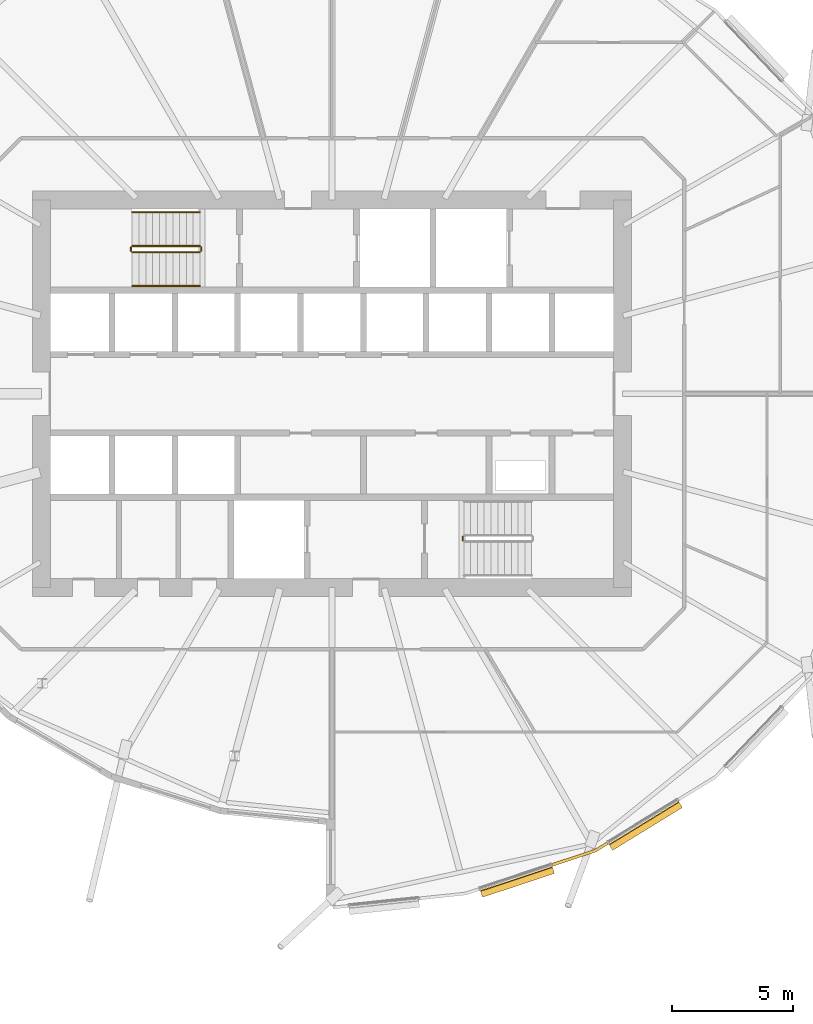
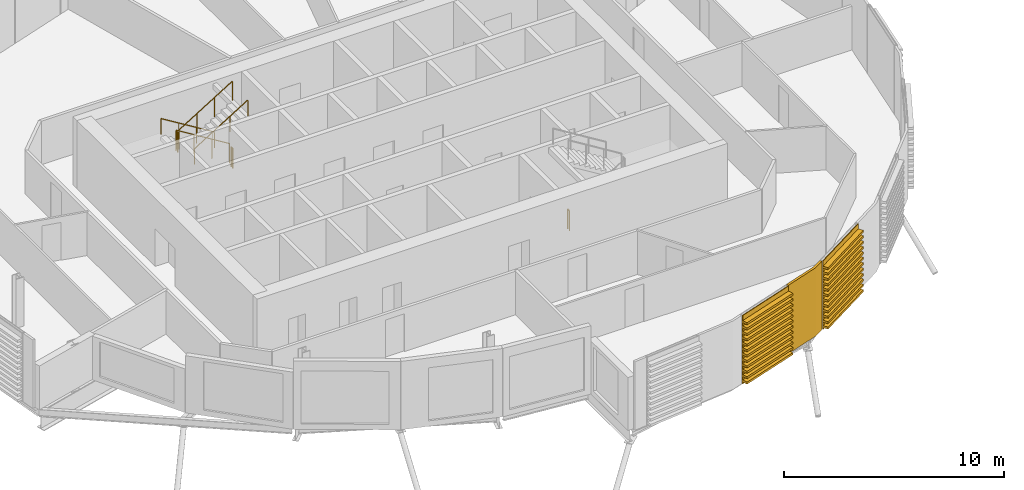
# One storey, part 37 of 42: 7 railings, 3 coverings.
"""IFC4 building model written with IfcOpenShell, lengths in metres."""

from ifc_helpers import new_model, si_unit, direction, frame, origin, origin_2d, place, context, subcontext, project, spatial, polyline, circle, outline, extrude, material, layer, layer_set, material_profile, profile_set, type_object, element, save


model = new_model("IFC4")

# Units and contexts
model_context = context("Model", 3, precision=1e-05, world=origin(), true_north=direction((0.0, 1.0)))
body_context = subcontext(model_context, "Body", "Model", "MODEL_VIEW")
ifc_project = project(units=[si_unit("LENGTHUNIT", "METRE"), si_unit("AREAUNIT", "SQUARE_METRE"), si_unit("VOLUMEUNIT", "CUBIC_METRE"), si_unit("PLANEANGLEUNIT", "RADIAN"), si_unit("MASSUNIT", "GRAM", prefix="KILO")], contexts=[model_context])

# Site, building, storey
site_placement = place(None, origin())
site = spatial("IfcSite", under=ifc_project, at=site_placement, CompositionType="ELEMENT")
building_placement = place(site_placement, origin())
building = spatial("IfcBuilding", under=site, at=building_placement, Name="Rimbun Link Towers", CompositionType="ELEMENT")
storey_placement = place(building_placement, frame((0.0, 0.0, 85.39990234375)))
storey = spatial("IfcBuildingStorey", under=building, at=storey_placement, Name="L20", CompositionType="ELEMENT", Elevation=85.39990234375)

# Covering
ifc_material_1 = material(Name="Terracotta", Category="masonry")
ifc_layer = layer(ifc_material_1, 0.1201171875)
ifc_layer_set = layer_set([ifc_layer], Name="LINK PIER terracotta cladding 120")
covering_type_1 = type_object("IfcCoveringType", Name="LINK PIER terracotta cladding 120", PredefinedType="CLADDING", material=ifc_layer_set)
covering_1_placement = place(storey_placement, origin())
element("IfcCovering", 1, at=covering_1_placement, inside=storey, type_object=covering_type_1, Name="LINK PIER cladding", PredefinedType="CLADDING", context=body_context, shape_type="SweptSolid", body=[
    extrude(outline(polyline([(-20.40234375, -18.51513671875), (-20.88818359375, -18.8134765625), (-22.6630859375, -19.401611328125), (-22.62548828125, -19.515625), (-20.837158203125, -18.9228515625), (-20.339599609375, -18.617431640625), (-20.40234375, -18.51513671875)])), origin(), (0.0, 0.0, 1.0), 3.800048828125),
])

# Railings
ifc_material_2 = material(Name="Stainless steel grade 316", Category="steel")
railing_type_1 = type_object("IfcRailingType", Name="Stair guard", PredefinedType="GUARDRAIL", material=ifc_material_2)
railing_1_placement = place(storey_placement, frame((-37.199951171875, 6.10009765625, 0.1728515625)))
element("IfcRailing", 2, at=railing_1_placement, inside=storey, type_object=railing_type_1, Name="L20 ST1 stair guard 1", PredefinedType="GUARDRAIL", context=body_context, shape_type="SweptSolid", body=[
    extrude(circle(Radius=0.02392578125, at=origin_2d()), frame((0.0, 0.0, 1.076171875), z_axis=(-0.851089632645, 0.0, 0.525020415988), x_axis=(0.0, -1.0, 0.0)), (0.0, 0.0, 1.0), 3.2900390625),
    extrude(circle(Radius=0.02099609375, at=origin_2d()), origin(), (0.0, 0.0, 1.0), 1.052001953125),
    extrude(circle(Radius=0.02099609375, at=origin_2d()), frame((-0.933349609375, 0.0, 0.57568359375)), (0.0, 0.0, 1.0), 1.052001953125),
    extrude(circle(Radius=0.02099609375, at=origin_2d()), frame((-1.86669921875, 0.0, 1.151611328125)), (0.0, 0.0, 1.0), 1.052001953125),
    extrude(circle(Radius=0.02099609375, at=origin_2d()), frame((-2.800048828125, 0.0, 1.727294921875)), (0.0, 0.0, 1.0), 1.052001953125),
])
railing_2_placement = place(storey_placement, frame((-40.050048828125, 6.050048828125, 1.900146484375)))
element("IfcRailing", 3, at=railing_2_placement, inside=storey, type_object=railing_type_1, Name="L20 ST1 stair guard 2", PredefinedType="GUARDRAIL", context=body_context, shape_type="SweptSolid", body=[
    extrude(circle(Radius=0.02392578125, at=origin_2d()), frame((0.0, 0.0, 1.076171875), z_axis=(0.0, -1.0, 0.0), x_axis=(1.0, 0.0, 0.0)), (0.0, 0.0, 1.0), 0.150146484375),
    extrude(circle(Radius=0.02099609375, at=origin_2d()), origin(), (0.0, 0.0, 1.0), 1.052001953125),
    extrude(circle(Radius=0.02099609375, at=origin_2d()), frame((0.0, -0.150146484375, 0.0)), (0.0, 0.0, 1.0), 1.052001953125),
])
railing_3_placement = place(storey_placement, frame((-40.0, 5.85009765625, 2.07275390625)))
element("IfcRailing", 4, at=railing_3_placement, inside=storey, type_object=railing_type_1, Name="L20 ST1 stair guard 3", PredefinedType="GUARDRAIL", context=body_context, shape_type="SweptSolid", body=[
    extrude(circle(Radius=0.02392578125, at=origin_2d()), frame((0.0, 0.0, 1.076171875), z_axis=(0.851089632645, 0.0, 0.525020415988), x_axis=(0.0, 1.0, 0.0)), (0.0, 0.0, 1.0), 3.2900390625),
    extrude(circle(Radius=0.02099609375, at=origin_2d()), origin(), (0.0, 0.0, 1.0), 1.052001953125),
    extrude(circle(Radius=0.02099609375, at=origin_2d()), frame((0.933349609375, 0.0, 0.57568359375)), (0.0, 0.0, 1.0), 1.052001953125),
    extrude(circle(Radius=0.02099609375, at=origin_2d()), frame((1.86669921875, 0.0, 1.151611328125)), (0.0, 0.0, 1.0), 1.052001953125),
    extrude(circle(Radius=0.02099609375, at=origin_2d()), frame((2.800048828125, 0.0, 1.727294921875)), (0.0, 0.0, 1.0), 1.052001953125),
])
railing_4_placement = place(storey_placement, frame((-37.14990234375, 6.050048828125, 0.0)))
element("IfcRailing", 5, at=railing_4_placement, inside=storey, type_object=railing_type_1, Name="L20 ST1 stair guard 4", PredefinedType="GUARDRAIL", context=body_context, shape_type="SweptSolid", body=[
    extrude(circle(Radius=0.02392578125, at=origin_2d()), frame((0.0, 0.0, 1.076171875), z_axis=(0.0, -1.0, 0.0), x_axis=(1.0, 0.0, 0.0)), (0.0, 0.0, 1.0), 0.150146484375),
    extrude(circle(Radius=0.02099609375, at=origin_2d()), origin(), (0.0, 0.0, 1.0), 1.052001953125),
    extrude(circle(Radius=0.02099609375, at=origin_2d()), frame((0.0, -0.150146484375, 0.0)), (0.0, 0.0, 1.0), 1.052001953125),
])
railing_5_placement = place(storey_placement, frame((-26.35009765625, -6.050048828125, 0.0)))
element("IfcRailing", 6, at=railing_5_placement, inside=storey, type_object=railing_type_1, Name="L20 ST2 stair guard 4", PredefinedType="GUARDRAIL", context=body_context, shape_type="SweptSolid", body=[
    extrude(circle(Radius=0.02392578125, at=origin_2d()), frame((0.0, 0.0, 1.076171875), z_axis=(0.0, 1.0, 0.0), x_axis=(-1.0, 0.0, 0.0)), (0.0, 0.0, 1.0), 0.150146484375),
    extrude(circle(Radius=0.02099609375, at=origin_2d()), origin(), (0.0, 0.0, 1.0), 1.052001953125),
    extrude(circle(Radius=0.02099609375, at=origin_2d()), frame((0.0, 0.150146484375, 0.0)), (0.0, 0.0, 1.0), 1.052001953125),
])
ifc_material_3 = material(Name="Stainless steel grade 316", Category="steel")
railing_type_2 = type_object("IfcRailingType", Name="Stair handrail", PredefinedType="HANDRAIL", material=ifc_material_3)
railing_6_placement = place(storey_placement, frame((-37.199951171875, 7.5, 0.1728515625)))
element("IfcRailing", 7, at=railing_6_placement, inside=storey, type_object=railing_type_2, Name="L20 ST1 stair handrail 1", PredefinedType="HANDRAIL", context=body_context, shape_type="SweptSolid", body=[
    extrude(circle(Radius=0.02392578125, at=origin_2d()), frame((0.0, 0.0, 0.8759765625), z_axis=(-0.851089632645, 0.0, 0.525020415988), x_axis=(0.0, -1.0, 0.0)), (0.0, 0.0, 1.0), 3.2900390625),
    extrude(circle(Radius=0.02099609375, at=origin_2d()), origin(), (0.0, 0.0, 1.0), 0.851806640625),
    extrude(circle(Radius=0.02099609375, at=origin_2d()), frame((-0.933349609375, 0.0, 0.57568359375)), (0.0, 0.0, 1.0), 0.851806640625),
    extrude(circle(Radius=0.02099609375, at=origin_2d()), frame((-1.86669921875, 0.0, 1.151611328125)), (0.0, 0.0, 1.0), 0.851806640625),
    extrude(circle(Radius=0.02099609375, at=origin_2d()), frame((-2.800048828125, 0.0, 1.727294921875)), (0.0, 0.0, 1.0), 0.851806640625),
])
railing_7_placement = place(storey_placement, frame((-40.0, 4.449951171875, 2.07275390625)))
element("IfcRailing", 8, at=railing_7_placement, inside=storey, type_object=railing_type_2, Name="L20 ST1 stair handrail 2", PredefinedType="HANDRAIL", context=body_context, shape_type="SweptSolid", body=[
    extrude(circle(Radius=0.02392578125, at=origin_2d()), frame((0.0, 0.0, 0.8759765625), z_axis=(0.851089632645, 0.0, 0.525020415988), x_axis=(0.0, 1.0, 0.0)), (0.0, 0.0, 1.0), 3.2900390625),
    extrude(circle(Radius=0.02099609375, at=origin_2d()), origin(), (0.0, 0.0, 1.0), 0.851806640625),
    extrude(circle(Radius=0.02099609375, at=origin_2d()), frame((0.933349609375, 0.0, 0.57568359375)), (0.0, 0.0, 1.0), 0.851806640625),
    extrude(circle(Radius=0.02099609375, at=origin_2d()), frame((1.86669921875, 0.0, 1.151611328125)), (0.0, 0.0, 1.0), 0.851806640625),
    extrude(circle(Radius=0.02099609375, at=origin_2d()), frame((2.800048828125, 0.0, 1.727294921875)), (0.0, 0.0, 1.0), 0.851806640625),
])

# Coverings
ifc_material_4 = material(Name="Terracotta", Category="masonry")
ifc_material_profile = material_profile(ifc_material_4, outline(polyline([(0.123046875, 0.0), (0.1630859375, 0.0), (0.1630859375, 0.10009765625), (0.423095703125, 0.10009765625), (0.423095703125, 0.219970703125), (0.1630859375, 0.219970703125), (0.1630859375, 0.39990234375), (0.423095703125, 0.39990234375), (0.423095703125, 0.52001953125), (0.1630859375, 0.52001953125), (0.1630859375, 0.699951171875), (0.423095703125, 0.699951171875), (0.423095703125, 0.820068359375), (0.1630859375, 0.820068359375), (0.1630859375, 1.0), (0.423095703125, 1.0), (0.423095703125, 1.1201171875), (0.1630859375, 1.1201171875), (0.1630859375, 1.300048828125), (0.423095703125, 1.300048828125), (0.423095703125, 1.419921875), (0.1630859375, 1.419921875), (0.1630859375, 1.60009765625), (0.423095703125, 1.60009765625), (0.423095703125, 1.719970703125), (0.1630859375, 1.719970703125), (0.1630859375, 1.89990234375), (0.423095703125, 1.89990234375), (0.423095703125, 2.02001953125), (0.1630859375, 2.02001953125), (0.1630859375, 2.199951171875), (0.423095703125, 2.199951171875), (0.423095703125, 2.320068359375), (0.1630859375, 2.320068359375), (0.1630859375, 2.5), (0.423095703125, 2.5), (0.423095703125, 2.6201171875), (0.1630859375, 2.6201171875), (0.1630859375, 2.800048828125), (0.423095703125, 2.800048828125), (0.423095703125, 2.919921875), (0.1630859375, 2.919921875), (0.1630859375, 3.10009765625), (0.423095703125, 3.10009765625), (0.423095703125, 3.219970703125), (0.1630859375, 3.219970703125), (0.1630859375, 3.39990234375), (0.423095703125, 3.39990234375), (0.423095703125, 3.52001953125), (0.1630859375, 3.52001953125), (0.1630859375, 3.800048828125), (0.123046875, 3.800048828125), (0.123046875, 0.0)])), Name="BAGUETTE 120X300")
ifc_profile_set = profile_set([ifc_material_profile], Name="Terracotta")
covering_type_2 = type_object("IfcCoveringType", Name="TERRACOTTA BAGUETTE 120X300 H3800", PredefinedType="CLADDING", material=ifc_profile_set)
covering_2_placement = place(storey_placement, frame((-22.691650390625, -19.4111328125, 0.0), z_axis=(-0.949243070926, -0.314543466469, 0.0), x_axis=(0.314543466469, -0.949243070926, 0.0)))
element("IfcCovering", 9, at=covering_2_placement, inside=storey, type_object=covering_type_2, Name="TERRACOTTA BAGUETTE", PredefinedType="CLADDING", context=body_context, shape_type="SweptSolid", body=[
    extrude(outline(polyline([(0.123046875, 0.0), (0.1630859375, 0.0), (0.1630859375, 0.10009765625), (0.423095703125, 0.10009765625), (0.423095703125, 0.219970703125), (0.1630859375, 0.219970703125), (0.1630859375, 0.39990234375), (0.423095703125, 0.39990234375), (0.423095703125, 0.52001953125), (0.1630859375, 0.52001953125), (0.1630859375, 0.699951171875), (0.423095703125, 0.699951171875), (0.423095703125, 0.820068359375), (0.1630859375, 0.820068359375), (0.1630859375, 1.0), (0.423095703125, 1.0), (0.423095703125, 1.1201171875), (0.1630859375, 1.1201171875), (0.1630859375, 1.300048828125), (0.423095703125, 1.300048828125), (0.423095703125, 1.419921875), (0.1630859375, 1.419921875), (0.1630859375, 1.60009765625), (0.423095703125, 1.60009765625), (0.423095703125, 1.719970703125), (0.1630859375, 1.719970703125), (0.1630859375, 1.89990234375), (0.423095703125, 1.89990234375), (0.423095703125, 2.02001953125), (0.1630859375, 2.02001953125), (0.1630859375, 2.199951171875), (0.423095703125, 2.199951171875), (0.423095703125, 2.320068359375), (0.1630859375, 2.320068359375), (0.1630859375, 2.5), (0.423095703125, 2.5), (0.423095703125, 2.6201171875), (0.1630859375, 2.6201171875), (0.1630859375, 2.800048828125), (0.423095703125, 2.800048828125), (0.423095703125, 2.919921875), (0.1630859375, 2.919921875), (0.1630859375, 3.10009765625), (0.423095703125, 3.10009765625), (0.423095703125, 3.219970703125), (0.1630859375, 3.219970703125), (0.1630859375, 3.39990234375), (0.423095703125, 3.39990234375), (0.423095703125, 3.52001953125), (0.1630859375, 3.52001953125), (0.1630859375, 3.800048828125), (0.123046875, 3.800048828125), (0.123046875, 0.0)])), origin(), (0.0, 0.0, 1.0), 3.1318359375),
])
covering_3_placement = place(storey_placement, frame((-17.495361328125, -16.730224609375, 0.0), z_axis=(-0.85216614194, -0.523271312544, 0.0), x_axis=(0.523271312544, -0.85216614194, 0.0)))
element("IfcCovering", 10, at=covering_3_placement, inside=storey, type_object=covering_type_2, Name="TERRACOTTA BAGUETTE", PredefinedType="CLADDING", context=body_context, shape_type="SweptSolid", body=[
    extrude(outline(polyline([(0.123046875, 0.0), (0.1630859375, 0.0), (0.1630859375, 0.10009765625), (0.423095703125, 0.10009765625), (0.423095703125, 0.219970703125), (0.1630859375, 0.219970703125), (0.1630859375, 0.39990234375), (0.423095703125, 0.39990234375), (0.423095703125, 0.52001953125), (0.1630859375, 0.52001953125), (0.1630859375, 0.699951171875), (0.423095703125, 0.699951171875), (0.423095703125, 0.820068359375), (0.1630859375, 0.820068359375), (0.1630859375, 1.0), (0.423095703125, 1.0), (0.423095703125, 1.1201171875), (0.1630859375, 1.1201171875), (0.1630859375, 1.300048828125), (0.423095703125, 1.300048828125), (0.423095703125, 1.419921875), (0.1630859375, 1.419921875), (0.1630859375, 1.60009765625), (0.423095703125, 1.60009765625), (0.423095703125, 1.719970703125), (0.1630859375, 1.719970703125), (0.1630859375, 1.89990234375), (0.423095703125, 1.89990234375), (0.423095703125, 2.02001953125), (0.1630859375, 2.02001953125), (0.1630859375, 2.199951171875), (0.423095703125, 2.199951171875), (0.423095703125, 2.320068359375), (0.1630859375, 2.320068359375), (0.1630859375, 2.5), (0.423095703125, 2.5), (0.423095703125, 2.6201171875), (0.1630859375, 2.6201171875), (0.1630859375, 2.800048828125), (0.423095703125, 2.800048828125), (0.423095703125, 2.919921875), (0.1630859375, 2.919921875), (0.1630859375, 3.10009765625), (0.423095703125, 3.10009765625), (0.423095703125, 3.219970703125), (0.1630859375, 3.219970703125), (0.1630859375, 3.39990234375), (0.423095703125, 3.39990234375), (0.423095703125, 3.52001953125), (0.1630859375, 3.52001953125), (0.1630859375, 3.800048828125), (0.123046875, 3.800048828125), (0.123046875, 0.0)])), origin(), (0.0, 0.0, 1.0), 3.381103515625),
])

save(model, "model.ifc")
